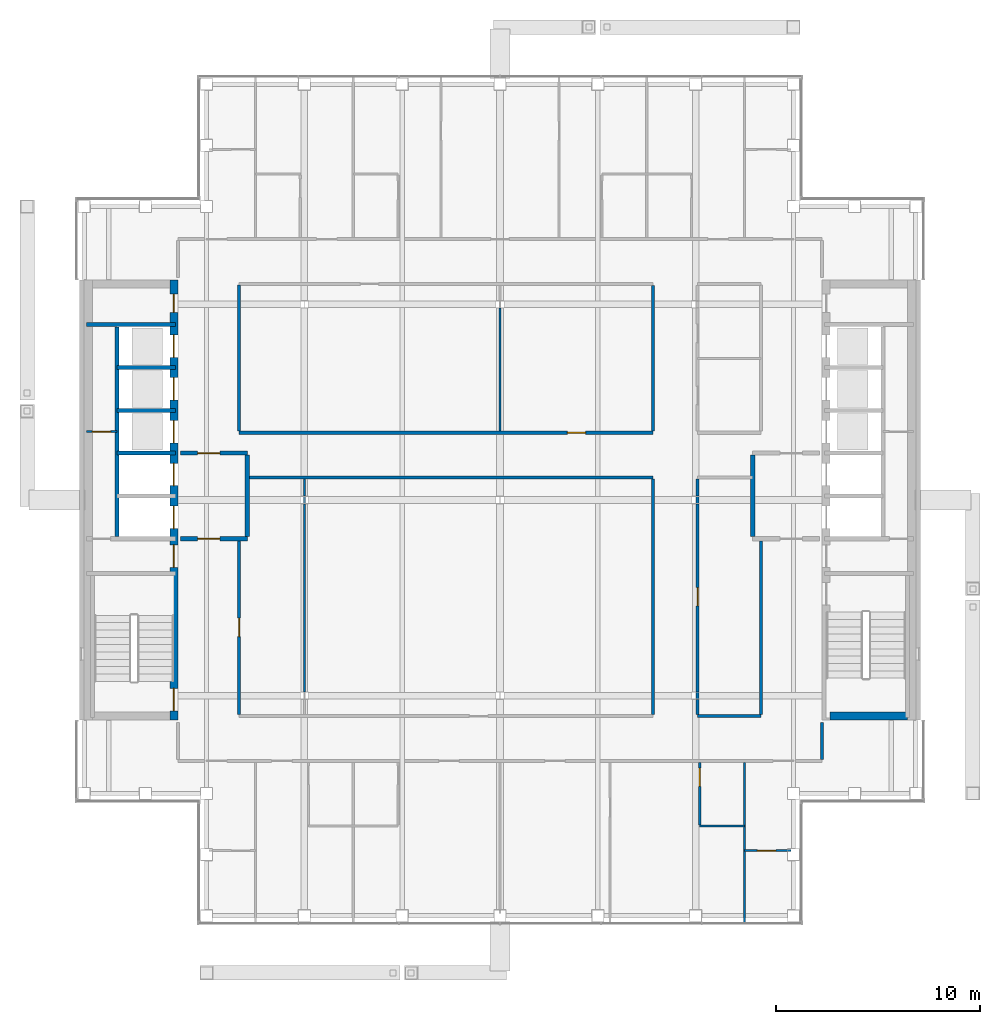
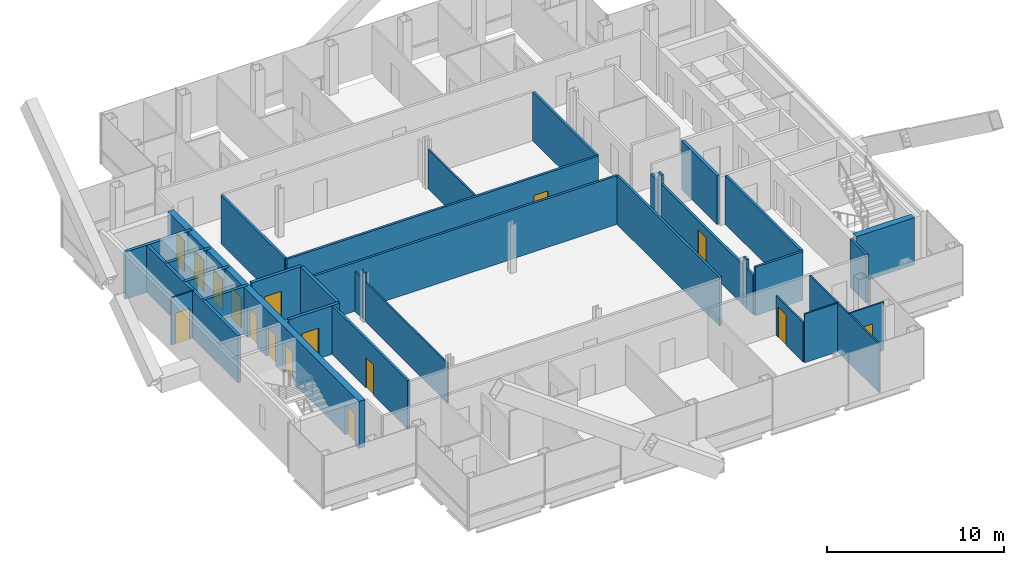
# One storey, part 11 of 15: 34 walls, 16 doors, 16 openings.
"""IFC4 building model written with IfcOpenShell, lengths in metres."""

import ifcopenshell
import ifcopenshell.guid

model = None  # the IFC model being written
_history = None  # IfcOwnerHistory: only IFC2X3 demands one
_inside = {}  # id of a spatial element -> (the spatial element, [elements in it])
_under = {}  # id of a project, library or spatial element -> (it, [spatial elements below it])
_declared = {}  # id of a project -> (the project, [libraries it declares])
_typed = {}  # id of a type object -> (the type object, [elements of that type])
_made_of = {}  # id of a material, layer set ... -> (it, [elements and type objects made of it])


def new_model(schema):
    """Start an empty IFC model of exactly this schema.

    Asked for "IFC4X3", IfcOpenShell would pick the latest addendum, in which some entities
    have other attributes; the version numbers below select the first issue.
    IFC2X3 requires an IfcOwnerHistory on every rooted entity: one is made here for all.
    """
    global model, _history
    if schema == "IFC4X3":
        model = ifcopenshell.file(schema_version=(4, 3, 0, 0))
    else:
        model = ifcopenshell.file(schema=schema)
    _inside.clear()
    _under.clear()
    _declared.clear()
    _typed.clear()
    _made_of.clear()
    _history = None
    if model.schema == "IFC2X3":
        org = make("IfcOrganization", Name="unknown")
        user = make(
            "IfcPersonAndOrganization",
            ThePerson=make("IfcPerson", FamilyName="unknown"),
            TheOrganization=org,
        )
        app = make(
            "IfcApplication",
            ApplicationDeveloper=org,
            Version="unknown",
            ApplicationFullName="unknown",
            ApplicationIdentifier="unknown",
        )
        _history = make(
            "IfcOwnerHistory",
            OwningUser=user,
            OwningApplication=app,
            ChangeAction="ADDED",
            CreationDate=0,
        )
    return model


def make(cls, **values):
    """One entity of the class cls with the attributes given. An attribute that is None is left unset."""
    return model.create_entity(
        cls, **{name: value for name, value in values.items() if value is not None}
    )


def rooted(cls, **values):
    """An entity with a GlobalId (a new one), such as an element, a storey or a relation."""
    return make(cls, GlobalId=ifcopenshell.guid.new(), OwnerHistory=_history, **values)


def si_unit(unit_type, name, prefix=None):
    """IfcSIUnit, for example si_unit("LENGTHUNIT", "METRE", prefix="MILLI")."""
    return make("IfcSIUnit", UnitType=unit_type, Prefix=prefix, Name=name)


def assignment(units):
    """IfcUnitAssignment: the units of a project."""
    return None if units is None else make("IfcUnitAssignment", Units=units)


def point(xyz):
    """IfcCartesianPoint."""
    return None if xyz is None else make("IfcCartesianPoint", Coordinates=xyz)


def direction(xyz):
    """IfcDirection."""
    return None if xyz is None else make("IfcDirection", DirectionRatios=xyz)


def frame(location, z_axis=None, x_axis=None):
    """IfcAxis2Placement3D, a coordinate frame: its origin and axes. An axis left out is left unset."""
    return make(
        "IfcAxis2Placement3D",
        Location=point(location),
        Axis=direction(z_axis),
        RefDirection=direction(x_axis),
    )


def frame_2d(location, x_axis=None):
    """IfcAxis2Placement2D, a coordinate frame in the plane: its origin and x axis."""
    return make(
        "IfcAxis2Placement2D", Location=point(location), RefDirection=direction(x_axis)
    )


def origin():
    """The frame at (0, 0, 0) with its axes left unset."""
    return frame((0.0, 0.0, 0.0))


def place(relative_to, where):
    """IfcLocalPlacement: puts the frame where relative to a parent placement (None: the world)."""
    return make(
        "IfcLocalPlacement", PlacementRelTo=relative_to, RelativePlacement=where
    )


def context(
    kind, dimensions, precision=None, world=None, true_north=None, identifier=None
):
    """IfcGeometricRepresentationContext, for example the 3D "Model" context."""
    return make(
        "IfcGeometricRepresentationContext",
        ContextIdentifier=identifier,
        ContextType=kind,
        CoordinateSpaceDimension=dimensions,
        Precision=precision,
        WorldCoordinateSystem=world,
        TrueNorth=true_north,
    )


def subcontext(parent, identifier, kind, view, scale=None):
    """IfcGeometricRepresentationSubContext, for example "Body" below "Model"."""
    return make(
        "IfcGeometricRepresentationSubContext",
        ContextIdentifier=identifier,
        ContextType=kind,
        ParentContext=parent,
        TargetScale=scale,
        TargetView=view,
    )


def project(units=None, contexts=None):
    """IfcProject with its units and contexts."""
    return rooted(
        "IfcProject",
        Name="project",
        RepresentationContexts=contexts,
        UnitsInContext=assignment(units),
    )


def spatial(cls, under=None, at=None, **own):
    """A site, building, storey or space (cls), placed at a placement, below another one or the project."""
    s = rooted(cls, ObjectPlacement=at, **own)
    if under is not None:
        _under.setdefault(under.id(), (under, []))[1].append(s)
    return s


def profile(cls, at=None, kind="AREA", **sizes):
    """A parametric profile (cls). Its sizes go by their IFC names, for example OverallWidth=200.0."""
    return make(cls, ProfileType=kind, Position=at, **sizes)


def rectangle(**sizes):
    """IfcRectangleProfileDef."""
    return profile("IfcRectangleProfileDef", **sizes)


def extrude(swept, where, along, depth):
    """IfcExtrudedAreaSolid: the profile swept, set in the frame where, extruded along a direction by depth."""
    return make(
        "IfcExtrudedAreaSolid",
        SweptArea=swept,
        Position=where,
        ExtrudedDirection=direction(along),
        Depth=depth,
    )


def shape(context_of_items, identifier, shape_type, items):
    """IfcShapeRepresentation: the items that make up one representation, for example the "Body"."""
    return make(
        "IfcShapeRepresentation",
        ContextOfItems=context_of_items,
        RepresentationIdentifier=identifier,
        RepresentationType=shape_type,
        Items=items,
    )


def material(Name=None, Category=None):
    """IfcMaterial."""
    return make("IfcMaterial", Name=Name, Category=Category)


def layer(
    of_material, thickness, ventilated=None, Name=None, Category=None, Priority=None
):
    """IfcMaterialLayer: one layer of a wall or slab, of a material (None: an air gap)."""
    return make(
        "IfcMaterialLayer",
        Material=of_material,
        LayerThickness=thickness,
        IsVentilated=ventilated,
        Name=Name,
        Category=Category,
        Priority=Priority,
    )


def layer_set(layers, Name=None):
    """IfcMaterialLayerSet."""
    return make("IfcMaterialLayerSet", MaterialLayers=layers, LayerSetName=Name)


def made_of(thing, what):
    """Note that an element or type object is made of a material, layer set ...; save() writes the relation."""
    if what is not None:
        _made_of.setdefault(what.id(), (what, []))[1].append(thing)
    return thing


def type_object(cls, material=None, **own):
    """A type object (cls), such as IfcWallType, which elements share."""
    return made_of(rooted(cls, **own), material)


def element(
    cls,
    number,
    at=None,
    inside=None,
    cuts=None,
    type_object=None,
    material=None,
    context=None,
    identifier="Body",
    shape_type=None,
    held_by="IfcProductDefinitionShape",
    body=None,
    shapes=None,
    **own,
):
    """One element of the class cls, such as IfcWall. Its Tag is "e" and its number.

    at: its placement. inside: the storey or other place that contains it. cuts: it is an
    opening in that element (IfcRelVoidsElement). A single representation is given by context,
    identifier, shape_type and body (its items); several are given by shapes. held_by: the class
    of the entity that holds the representations. save() writes the other relations.
    """
    e = rooted(cls, Tag="e%d" % number, ObjectPlacement=at, **own)
    if body is not None:
        shapes = [shape(context, identifier, shape_type, body)]
    if shapes is not None:
        e.Representation = make(held_by, Representations=shapes)
    if inside is not None:
        _inside.setdefault(inside.id(), (inside, []))[1].append(e)
    if cuts is not None:
        rooted(
            "IfcRelVoidsElement", RelatingBuildingElement=cuts, RelatedOpeningElement=e
        )
    if type_object is not None:
        _typed.setdefault(type_object.id(), (type_object, []))[1].append(e)
    return made_of(e, material)


def fill(opening, filler):
    """IfcRelFillsElement: the door or window that sits in an opening."""
    return rooted(
        "IfcRelFillsElement",
        RelatingOpeningElement=opening,
        RelatedBuildingElement=filler,
    )


def aggregate(whole, parts):
    """IfcRelAggregates: a whole, such as a stair, and the parts it consists of."""
    return rooted("IfcRelAggregates", RelatingObject=whole, RelatedObjects=parts)


def save(model, path):
    """Write the relations noted so far, then the file.

    IfcRelAggregates (storeys below a building ...), IfcRelContainedInSpatialStructure (elements
    in a storey), IfcRelDefinesByType, IfcRelAssociatesMaterial and IfcRelDeclares: one each for
    every whole, place, type object, material and project.
    """
    for whole, parts in _under.values():
        aggregate(whole, parts)
    for where, things in _inside.values():
        rooted(
            "IfcRelContainedInSpatialStructure",
            RelatedElements=things,
            RelatingStructure=where,
        )
    for kind, things in _typed.values():
        rooted("IfcRelDefinesByType", RelatedObjects=things, RelatingType=kind)
    for what, things in _made_of.values():
        rooted("IfcRelAssociatesMaterial", RelatedObjects=things, RelatingMaterial=what)
    for by, libraries in _declared.values():
        rooted("IfcRelDeclares", RelatingContext=by, RelatedDefinitions=libraries)
    model.write(path)


model = new_model("IFC4")

# Units and contexts
model_context = context("Model", 3, precision=1e-05, world=origin(), true_north=direction((0.0, 1.0)))
body_context = subcontext(model_context, "Body", "Model", "MODEL_VIEW")
ifc_project = project(units=[si_unit("LENGTHUNIT", "METRE"), si_unit("AREAUNIT", "SQUARE_METRE"), si_unit("VOLUMEUNIT", "CUBIC_METRE"), si_unit("PLANEANGLEUNIT", "RADIAN"), si_unit("MASSUNIT", "GRAM", prefix="KILO")], contexts=[model_context])

# Site, building, storey
site_placement = place(None, origin())
site = spatial("IfcSite", under=ifc_project, at=site_placement, CompositionType="ELEMENT")
building_placement = place(site_placement, origin())
building = spatial("IfcBuilding", under=site, at=building_placement, Name="Cobrizo Arcos Hotel Tower", CompositionType="ELEMENT")
storey_placement = place(building_placement, frame((0.0, 0.0, 244.5)))
storey = spatial("IfcBuildingStorey", under=building, at=storey_placement, Name="L64", CompositionType="ELEMENT", Elevation=244.5)

# Walls
ifc_material_1 = material(Name="Gypsum board partition")
ifc_layer_1 = layer(ifc_material_1, 0.14990234375)
ifc_layer_set_1 = layer_set([ifc_layer_1], Name="Corridor wall EI 60 150")
wall_type_1 = type_object("IfcWallType", Name="Corridor wall EI 60 150", PredefinedType="PARTITIONING", material=ifc_layer_set_1)
wall_1_placement = place(storey_placement, frame((9.699951171875, -10.60009765625, 0.0), z_axis=(0.0, 0.0, 1.0), x_axis=(1.0, 0.0, 0.0)))
element("IfcWall", 1, at=wall_1_placement, inside=storey, type_object=wall_type_1, Name="Partition 007", PredefinedType="PARTITIONING", context=body_context, shape_type="SweptSolid", body=[
    extrude(rectangle(XDim=3.10009765625, YDim=0.14990234375, at=frame_2d((1.550048828125, 0.0))), origin(), (0.0, 0.0, 1.0), 3.35009765625),
])
wall_2_placement = place(storey_placement, frame((-12.39990234375, 1.10009765625, 0.0), z_axis=(0.0, 0.0, 1.0), x_axis=(1.0, 0.0, 0.0)))
element("IfcWall", 2, at=wall_2_placement, inside=storey, type_object=wall_type_1, Name="Partition 016", PredefinedType="PARTITIONING", context=body_context, shape_type="SweptSolid", body=[
    extrude(rectangle(XDim=19.89990234375, YDim=0.14990234375, at=frame_2d((9.949951171875, 0.0))), origin(), (0.0, 0.0, 1.0), 3.35009765625),
])

# Wall, opening, door
wall_3_placement = place(storey_placement, frame((-12.800048828125, 3.300048828125, 0.0), z_axis=(0.0, 0.0, 1.0), x_axis=(1.0, 0.0, 0.0)))
wall_3 = element("IfcWall", 3, at=wall_3_placement, inside=storey, type_object=wall_type_1, Name="Partition 022", PredefinedType="PARTITIONING", context=body_context, shape_type="SweptSolid", body=[
    extrude(rectangle(XDim=20.300048828125, YDim=0.14990234375, at=frame_2d((10.14990234375, 0.0))), origin(), (0.0, 0.0, 1.0), 3.35009765625),
])
opening_1_placement = place(wall_3_placement, frame((16.10009765625, 0.0, 0.0)))
opening_1 = element("IfcOpeningElement", 4, at=opening_1_placement, cuts=wall_3, Name="Opening RD-13", PredefinedType="OPENING", context=body_context, shape_type="SweptSolid", body=[
    extrude(rectangle(XDim=0.89990234375, YDim=2.10009765625, at=frame_2d((0.449951171875, 1.050048828125))), frame((0.0, 0.0869140625, 0.0), z_axis=(0.0, -1.0, 0.0), x_axis=(1.0, 0.0, 0.0)), (0.0, 0.0, 1.0), 0.173828125),
])
ifc_material_2 = material(Name="Timber door leaf", Category="wood")
door_type_1 = type_object("IfcDoorType", Name="Room door FD30 900x2100", OperationType="SINGLE_SWING_LEFT", PredefinedType="DOOR", material=ifc_material_2)
door_1_placement = place(opening_1_placement, origin())
door_1 = element("IfcDoor", 5, at=door_1_placement, inside=storey, type_object=door_type_1, Name="Door RD-13", OperationType="SINGLE_SWING_RIGHT", OverallHeight=2.10009765625, OverallWidth=0.89990234375, PredefinedType="DOOR", context=body_context, shape_type="SweptSolid", body=[
    extrude(rectangle(XDim=0.89990234375, YDim=2.10009765625, at=frame_2d((0.449951171875, 1.050048828125))), frame((0.0, 0.02490234375, 0.0), z_axis=(0.0, -1.0, 0.0), x_axis=(1.0, 0.0, 0.0)), (0.0, 0.0, 1.0), 0.050048828125),
])
fill(opening_1, door_1)

wall_4_placement = place(storey_placement, frame((-12.800048828125, -10.52490234375, 0.0), z_axis=(0.0, 0.0, 1.0), x_axis=(0.0, 1.0, 0.0)))
wall_4 = element("IfcWall", 6, at=wall_4_placement, inside=storey, type_object=wall_type_1, Name="Partition 045", PredefinedType="PARTITIONING", context=body_context, shape_type="SweptSolid", body=[
    extrude(rectangle(XDim=8.52490234375, YDim=0.14990234375, at=frame_2d((4.262451171875, 0.0))), origin(), (0.0, 0.0, 1.0), 3.35009765625),
])
opening_2_placement = place(wall_4_placement, frame((3.824951171875, 0.0, 0.0)))
opening_2 = element("IfcOpeningElement", 7, at=opening_2_placement, cuts=wall_4, Name="Opening RD-12", PredefinedType="OPENING", context=body_context, shape_type="SweptSolid", body=[
    extrude(rectangle(XDim=0.89990234375, YDim=2.10009765625, at=frame_2d((0.449951171875, 1.050048828125))), frame((0.0, 0.0869140625, 0.0), z_axis=(0.0, -1.0, 0.0), x_axis=(1.0, 0.0, 0.0)), (0.0, 0.0, 1.0), 0.173828125),
])
door_2_placement = place(opening_2_placement, origin())
door_2 = element("IfcDoor", 8, at=door_2_placement, inside=storey, type_object=door_type_1, Name="Door RD-12", OperationType="SINGLE_SWING_RIGHT", OverallHeight=2.10009765625, OverallWidth=0.89990234375, PredefinedType="DOOR", context=body_context, shape_type="SweptSolid", body=[
    extrude(rectangle(XDim=0.89990234375, YDim=2.10009765625, at=frame_2d((0.449951171875, 1.050048828125))), frame((0.0, 0.02490234375, 0.0), z_axis=(0.0, -1.0, 0.0), x_axis=(1.0, 0.0, 0.0)), (0.0, 0.0, 1.0), 0.050048828125),
])
fill(opening_2, door_2)

# Walls
wall_5_placement = place(storey_placement, frame((-12.800048828125, 3.375, 0.0), z_axis=(0.0, 0.0, 1.0), x_axis=(0.0, 1.0, 0.0)))
element("IfcWall", 9, at=wall_5_placement, inside=storey, type_object=wall_type_1, Name="Partition 046", PredefinedType="PARTITIONING", context=body_context, shape_type="SweptSolid", body=[
    extrude(rectangle(XDim=7.175048828125, YDim=0.14990234375, at=frame_2d((3.58740234375, 0.0))), origin(), (0.0, 0.0, 1.0), 3.35009765625),
])
wall_6_placement = place(storey_placement, frame((7.5, -10.52490234375, 0.0), z_axis=(0.0, 0.0, 1.0), x_axis=(0.0, 1.0, 0.0)))
element("IfcWall", 10, at=wall_6_placement, inside=storey, type_object=wall_type_1, Name="Partition 072", PredefinedType="PARTITIONING", context=body_context, shape_type="SweptSolid", body=[
    extrude(rectangle(XDim=11.5498046875, YDim=0.14990234375, at=frame_2d((5.77490234375, 0.0))), origin(), (0.0, 0.0, 1.0), 3.35009765625),
])
wall_7_placement = place(storey_placement, frame((7.5, 3.375, 0.0), z_axis=(0.0, 0.0, 1.0), x_axis=(0.0, 1.0, 0.0)))
element("IfcWall", 11, at=wall_7_placement, inside=storey, type_object=wall_type_1, Name="Partition 073", PredefinedType="PARTITIONING", context=body_context, shape_type="SweptSolid", body=[
    extrude(rectangle(XDim=7.14990234375, YDim=0.14990234375, at=frame_2d((3.574951171875, 0.0))), origin(), (0.0, 0.0, 1.0), 3.35009765625),
])
wall_8_placement = place(storey_placement, frame((9.699951171875, -10.52490234375, 0.0), z_axis=(0.0, 0.0, 1.0), x_axis=(0.0, 1.0, 0.0)))
element("IfcWall", 12, at=wall_8_placement, inside=storey, type_object=wall_type_1, Name="Partition 075", PredefinedType="PARTITIONING", context=body_context, shape_type="SweptSolid", body=[
    extrude(rectangle(XDim=0.740966796875, YDim=0.14990234375, at=frame_2d((0.37060546875, 0.0))), origin(), (0.0, 0.0, 1.0), 2.72802734375),
])
wall_9_placement = place(storey_placement, frame((9.699951171875, -9.783935546875, 0.0), z_axis=(0.0, 0.0, 1.0), x_axis=(0.0, 1.0, 0.0)))
element("IfcWall", 13, at=wall_9_placement, inside=storey, type_object=wall_type_1, Name="Partition 076", PredefinedType="PARTITIONING", context=body_context, shape_type="SweptSolid", body=[
    extrude(rectangle(XDim=0.367919921875, YDim=0.14990234375, at=frame_2d((0.18408203125, 0.0))), origin(), (0.0, 0.0, 1.0), 3.35009765625),
])

# Wall, opening, door
wall_10_placement = place(storey_placement, frame((9.699951171875, -9.416015625, 0.0), z_axis=(0.0, 0.0, 1.0), x_axis=(0.0, 1.0, 0.0)))
wall_10 = element("IfcWall", 14, at=wall_10_placement, inside=storey, type_object=wall_type_1, Name="Partition 077", PredefinedType="PARTITIONING", context=body_context, shape_type="SweptSolid", body=[
    extrude(rectangle(XDim=9.23193359375, YDim=0.14990234375, at=frame_2d((4.615966796875, 0.0))), origin(), (0.0, 0.0, 1.0), 2.72802734375),
])
opening_3_placement = place(wall_10_placement, frame((4.216064453125, 0.0, 0.0)))
opening_3 = element("IfcOpeningElement", 15, at=opening_3_placement, cuts=wall_10, Name="Opening RD-11", PredefinedType="OPENING", context=body_context, shape_type="SweptSolid", body=[
    extrude(rectangle(XDim=0.89990234375, YDim=2.10009765625, at=frame_2d((0.449951171875, 1.050048828125))), frame((0.0, 0.0869140625, 0.0), z_axis=(0.0, -1.0, 0.0), x_axis=(1.0, 0.0, 0.0)), (0.0, 0.0, 1.0), 0.173828125),
])
door_3_placement = place(opening_3_placement, origin())
door_3 = element("IfcDoor", 16, at=door_3_placement, inside=storey, type_object=door_type_1, Name="Door RD-11", OperationType="SINGLE_SWING_RIGHT", OverallHeight=2.10009765625, OverallWidth=0.89990234375, PredefinedType="DOOR", context=body_context, shape_type="SweptSolid", body=[
    extrude(rectangle(XDim=0.89990234375, YDim=2.10009765625, at=frame_2d((0.449951171875, 1.050048828125))), frame((0.0, 0.02490234375, 0.0), z_axis=(0.0, -1.0, 0.0), x_axis=(1.0, 0.0, 0.0)), (0.0, 0.0, 1.0), 0.050048828125),
])
fill(opening_3, door_3)

# Walls
wall_11_placement = place(storey_placement, frame((9.699951171875, -0.18408203125, 0.0), z_axis=(0.0, 0.0, 1.0), x_axis=(0.0, 1.0, 0.0)))
element("IfcWall", 17, at=wall_11_placement, inside=storey, type_object=wall_type_1, Name="Partition 078", PredefinedType="PARTITIONING", context=body_context, shape_type="SweptSolid", body=[
    extrude(rectangle(XDim=0.3681640625, YDim=0.14990234375, at=frame_2d((0.18408203125, 0.0))), origin(), (0.0, 0.0, 1.0), 3.35009765625),
])
wall_12_placement = place(storey_placement, frame((9.699951171875, 0.18408203125, 0.0), z_axis=(0.0, 0.0, 1.0), x_axis=(0.0, 1.0, 0.0)))
element("IfcWall", 18, at=wall_12_placement, inside=storey, type_object=wall_type_1, Name="Partition 079", PredefinedType="PARTITIONING", context=body_context, shape_type="SweptSolid", body=[
    extrude(rectangle(XDim=0.8408203125, YDim=0.14990234375, at=frame_2d((0.42041015625, 0.0))), origin(), (0.0, 0.0, 1.0), 2.72802734375),
])
wall_13_placement = place(storey_placement, frame((12.800048828125, -10.52490234375, 0.0), z_axis=(0.0, 0.0, 1.0), x_axis=(0.0, 1.0, 0.0)))
element("IfcWall", 19, at=wall_13_placement, inside=storey, type_object=wall_type_1, Name="Partition 087", PredefinedType="PARTITIONING", context=body_context, shape_type="SweptSolid", body=[
    extrude(rectangle(XDim=8.52490234375, YDim=0.14990234375, at=frame_2d((4.262451171875, 0.0))), origin(), (0.0, 0.0, 1.0), 3.35009765625),
])
wall_14_placement = place(storey_placement, frame((15.800048828125, -12.72509765625, 0.0), z_axis=(0.0, 0.0, 1.0), x_axis=(0.0, 1.0, 0.0)))
element("IfcWall", 20, at=wall_14_placement, inside=storey, type_object=wall_type_1, Name="Partition 089", PredefinedType="PARTITIONING", context=body_context, shape_type="SweptSolid", body=[
    extrude(rectangle(XDim=1.80517578125, YDim=0.14990234375, at=frame_2d((0.902587890625, 0.0))), origin(), (0.0, 0.0, 1.0), 3.35009765625),
])

# Wall, opening, door
ifc_layer_2 = layer(ifc_material_1, 0.10009765625)
ifc_layer_set_2 = layer_set([ifc_layer_2], Name="Partition EI 30 100")
wall_type_2 = type_object("IfcWallType", Name="Partition EI 30 100", PredefinedType="PARTITIONING", material=ifc_layer_set_2)
wall_15_placement = place(storey_placement, frame((12.0, -17.199951171875, 0.0), z_axis=(0.0, 0.0, 1.0), x_axis=(1.0, 0.0, 0.0)))
wall_15 = element("IfcWall", 21, at=wall_15_placement, inside=storey, type_object=wall_type_2, Name="Partition 002", PredefinedType="PARTITIONING", context=body_context, shape_type="SweptSolid", body=[
    extrude(rectangle(XDim=2.280029296875, YDim=0.10009765625, at=frame_2d((1.14013671875, 0.0))), origin(), (0.0, 0.0, 1.0), 3.35009765625),
])
opening_4_placement = place(wall_15_placement, frame((0.6298828125, 0.0, 0.0)))
opening_4 = element("IfcOpeningElement", 22, at=opening_4_placement, cuts=wall_15, Name="Opening ED-10", PredefinedType="OPENING", context=body_context, shape_type="SweptSolid", body=[
    extrude(rectangle(XDim=0.89990234375, YDim=2.10009765625, at=frame_2d((0.449951171875, 1.050048828125))), frame((0.0, 0.06201171875, 0.0), z_axis=(0.0, -1.0, 0.0), x_axis=(1.0, 0.0, 0.0)), (0.0, 0.0, 1.0), 0.1240234375),
])
door_type_2 = type_object("IfcDoorType", Name="En-suite door 900x2100", OperationType="SINGLE_SWING_LEFT", PredefinedType="DOOR", material=ifc_material_2)
door_4_placement = place(opening_4_placement, origin())
door_4 = element("IfcDoor", 23, at=door_4_placement, inside=storey, type_object=door_type_2, Name="Door ED-10", OperationType="SINGLE_SWING_RIGHT", OverallHeight=2.10009765625, OverallWidth=0.89990234375, PredefinedType="DOOR", context=body_context, shape_type="SweptSolid", body=[
    extrude(rectangle(XDim=0.89990234375, YDim=2.10009765625, at=frame_2d((0.449951171875, 1.050048828125))), frame((0.0, 0.02490234375, 0.0), z_axis=(0.0, -1.0, 0.0), x_axis=(1.0, 0.0, 0.0)), (0.0, 0.0, 1.0), 0.050048828125),
])
fill(opening_4, door_4)

# Wall
wall_16_placement = place(storey_placement, frame((9.800048828125, -16.0, 0.0), z_axis=(0.0, 0.0, 1.0), x_axis=(1.0, 0.0, 0.0)))
element("IfcWall", 24, at=wall_16_placement, inside=storey, type_object=wall_type_2, Name="Partition 004", PredefinedType="PARTITIONING", context=body_context, shape_type="SweptSolid", body=[
    extrude(rectangle(XDim=2.199951171875, YDim=0.10009765625, at=frame_2d((1.10009765625, 0.0))), origin(), (0.0, 0.0, 1.0), 3.35009765625),
])

# Wall, opening, door
wall_17_placement = place(storey_placement, frame((-20.280029296875, 3.35009765625, 0.0), z_axis=(0.0, 0.0, 1.0), x_axis=(1.0, 0.0, 0.0)))
wall_17 = element("IfcWall", 25, at=wall_17_placement, inside=storey, type_object=wall_type_2, Name="Partition 024", PredefinedType="PARTITIONING", context=body_context, shape_type="SweptSolid", body=[
    extrude(rectangle(XDim=1.47998046875, YDim=0.10009765625, at=frame_2d((0.739990234375, 0.0))), origin(), (0.0, 0.0, 1.0), 3.25),
])
opening_5_placement = place(wall_17_placement, frame((0.280029296875, 0.0, 0.0)))
opening_5 = element("IfcOpeningElement", 26, at=opening_5_placement, cuts=wall_17, Name="Opening RD-03", PredefinedType="OPENING", context=body_context, shape_type="SweptSolid", body=[
    extrude(rectangle(XDim=0.89990234375, YDim=2.10009765625, at=frame_2d((0.449951171875, 1.050048828125))), frame((0.0, 0.06201171875, 0.0), z_axis=(0.0, -1.0, 0.0), x_axis=(1.0, 0.0, 0.0)), (0.0, 0.0, 1.0), 0.1240234375),
])
door_5_placement = place(opening_5_placement, origin())
door_5 = element("IfcDoor", 27, at=door_5_placement, inside=storey, type_object=door_type_1, Name="Door RD-03", OperationType="SINGLE_SWING_RIGHT", OverallHeight=2.10009765625, OverallWidth=0.89990234375, PredefinedType="DOOR", context=body_context, shape_type="SweptSolid", body=[
    extrude(rectangle(XDim=0.89990234375, YDim=2.10009765625, at=frame_2d((0.449951171875, 1.050048828125))), frame((0.0, 0.02490234375, 0.0), z_axis=(0.0, -1.0, 0.0), x_axis=(1.0, 0.0, 0.0)), (0.0, 0.0, 1.0), 0.050048828125),
])
fill(opening_5, door_5)

# Walls
wall_18_placement = place(storey_placement, frame((-9.60009765625, -9.416015625, 0.0), z_axis=(0.0, 0.0, 1.0), x_axis=(0.0, 1.0, 0.0)))
element("IfcWall", 28, at=wall_18_placement, inside=storey, type_object=wall_type_2, Name="Partition 053", PredefinedType="PARTITIONING", context=body_context, shape_type="SweptSolid", body=[
    extrude(rectangle(XDim=9.23193359375, YDim=0.10009765625, at=frame_2d((4.615966796875, 0.0))), origin(), (0.0, 0.0, 1.0), 2.72802734375),
])
wall_19_placement = place(storey_placement, frame((-9.60009765625, -0.18408203125, 0.0), z_axis=(0.0, 0.0, 1.0), x_axis=(0.0, 1.0, 0.0)))
element("IfcWall", 29, at=wall_19_placement, inside=storey, type_object=wall_type_2, Name="Partition 054", PredefinedType="PARTITIONING", context=body_context, shape_type="SweptSolid", body=[
    extrude(rectangle(XDim=0.3681640625, YDim=0.10009765625, at=frame_2d((0.18408203125, 0.0))), origin(), (0.0, 0.0, 1.0), 3.35009765625),
])
wall_20_placement = place(storey_placement, frame((-9.60009765625, 0.18408203125, 0.0), z_axis=(0.0, 0.0, 1.0), x_axis=(0.0, 1.0, 0.0)))
element("IfcWall", 30, at=wall_20_placement, inside=storey, type_object=wall_type_2, Name="Partition 055", PredefinedType="PARTITIONING", context=body_context, shape_type="SweptSolid", body=[
    extrude(rectangle(XDim=0.8408203125, YDim=0.10009765625, at=frame_2d((0.42041015625, 0.0))), origin(), (0.0, 0.0, 1.0), 2.72802734375),
])
wall_21_placement = place(storey_placement, frame((0.0, 3.375, 0.0), z_axis=(0.0, 0.0, 1.0), x_axis=(0.0, 1.0, 0.0)))
element("IfcWall", 31, at=wall_21_placement, inside=storey, type_object=wall_type_2, Name="Partition 064", PredefinedType="PARTITIONING", context=body_context, shape_type="SweptSolid", body=[
    extrude(rectangle(XDim=6.041015625, YDim=0.10009765625, at=frame_2d((3.0205078125, 0.0))), origin(), (0.0, 0.0, 1.0), 2.72802734375),
])

# Wall, opening, door
wall_22_placement = place(storey_placement, frame((9.800048828125, -15.949951171875, 0.0), z_axis=(0.0, 0.0, 1.0), x_axis=(0.0, 1.0, 0.0)))
wall_22 = element("IfcWall", 32, at=wall_22_placement, inside=storey, type_object=wall_type_2, Name="Partition 083", PredefinedType="PARTITIONING", context=body_context, shape_type="SweptSolid", body=[
    extrude(rectangle(XDim=3.074951171875, YDim=0.10009765625, at=frame_2d((1.53759765625, 0.0))), origin(), (0.0, 0.0, 1.0), 2.72802734375),
])
opening_6_placement = place(wall_22_placement, frame((1.89990234375, 0.0, 0.0)))
opening_6 = element("IfcOpeningElement", 33, at=opening_6_placement, cuts=wall_22, Name="Opening ED-07", PredefinedType="OPENING", context=body_context, shape_type="SweptSolid", body=[
    extrude(rectangle(XDim=0.89990234375, YDim=2.10009765625, at=frame_2d((0.449951171875, 1.050048828125))), frame((0.0, 0.06201171875, 0.0), z_axis=(0.0, -1.0, 0.0), x_axis=(1.0, 0.0, 0.0)), (0.0, 0.0, 1.0), 0.1240234375),
])
door_6_placement = place(opening_6_placement, origin())
door_6 = element("IfcDoor", 34, at=door_6_placement, inside=storey, type_object=door_type_2, Name="Door ED-07", OperationType="SINGLE_SWING_LEFT", OverallHeight=2.10009765625, OverallWidth=0.89990234375, PredefinedType="DOOR", context=body_context, shape_type="SweptSolid", body=[
    extrude(rectangle(XDim=0.89990234375, YDim=2.10009765625, at=frame_2d((0.449951171875, 1.050048828125))), frame((0.0, 0.02490234375, 0.0), z_axis=(0.0, -1.0, 0.0), x_axis=(1.0, 0.0, 0.0)), (0.0, 0.0, 1.0), 0.050048828125),
])
fill(opening_6, door_6)

# Walls
wall_23_placement = place(storey_placement, frame((12.0, -20.72998046875, 0.0), z_axis=(0.0, 0.0, 1.0), x_axis=(0.0, 1.0, 0.0)))
element("IfcWall", 35, at=wall_23_placement, inside=storey, type_object=wall_type_2, Name="Partition 084", PredefinedType="PARTITIONING", context=body_context, shape_type="SweptSolid", body=[
    extrude(rectangle(XDim=7.85498046875, YDim=0.10009765625, at=frame_2d((3.927490234375, 0.0))), origin(), (0.0, 0.0, 1.0), 3.35009765625),
])
ifc_material_3 = material(Name="Concrete f'c 40 MPa", Category="concrete")
ifc_layer_3 = layer(ifc_material_3, 0.39990234375)
ifc_layer_set_3 = layer_set([ifc_layer_3], Name="RC core wall 400 f'c 40")
wall_type_3 = type_object("IfcWallType", Name="RC core wall 400 f'c 40", PredefinedType="SHEAR", material=ifc_layer_set_3)
wall_24_placement = place(storey_placement, frame((16.199951171875, -10.60009765625, 0.0), z_axis=(0.0, 0.0, 1.0), x_axis=(1.0, 0.0, 0.0)))
element("IfcWall", 36, at=wall_24_placement, inside=storey, type_object=wall_type_3, Name="Core wall CW4, east core, south end, L64", PredefinedType="SHEAR", context=body_context, shape_type="SweptSolid", body=[
    extrude(rectangle(XDim=3.800048828125, YDim=0.39990234375, at=frame_2d((1.89990234375, 0.0))), origin(), (0.0, 0.0, 1.0), 3.25),
])

# Wall, openings, doors
wall_25_placement = place(storey_placement, frame((-16.0, -10.800048828125, 0.0), z_axis=(0.0, 0.0, 1.0), x_axis=(0.0, 1.0, 0.0)))
wall_25 = element("IfcWall", 37, at=wall_25_placement, inside=storey, type_object=wall_type_3, Name="Core wall CW4, west core, inner face, L64", PredefinedType="SHEAR", context=body_context, shape_type="SweptSolid", body=[
    extrude(rectangle(XDim=21.60009765625, YDim=0.39990234375, at=frame_2d((10.800048828125, 0.0))), origin(), (0.0, 0.0, 1.0), 3.25),
])
opening_7_placement = place(wall_25_placement, frame((9.39990234375, 0.0, 0.0)))
opening_7 = element("IfcOpeningElement", 38, at=opening_7_placement, cuts=wall_25, Name="Opening LD-01", PredefinedType="OPENING", context=body_context, shape_type="SweptSolid", body=[
    extrude(rectangle(XDim=1.10009765625, YDim=2.10009765625, at=frame_2d((0.550048828125, 1.050048828125))), frame((0.0, 0.2119140625, 0.0), z_axis=(0.0, -1.0, 0.0), x_axis=(1.0, 0.0, 0.0)), (0.0, 0.0, 1.0), 0.423828125),
])
opening_8_placement = place(wall_25_placement, frame((11.5, 0.0, 0.0)))
opening_8 = element("IfcOpeningElement", 39, at=opening_8_placement, cuts=wall_25, Name="Opening LD-02", PredefinedType="OPENING", context=body_context, shape_type="SweptSolid", body=[
    extrude(rectangle(XDim=1.10009765625, YDim=2.10009765625, at=frame_2d((0.550048828125, 1.050048828125))), frame((0.0, 0.2119140625, 0.0), z_axis=(0.0, -1.0, 0.0), x_axis=(1.0, 0.0, 0.0)), (0.0, 0.0, 1.0), 0.423828125),
])
opening_9_placement = place(wall_25_placement, frame((13.60009765625, 0.0, 0.0)))
opening_9 = element("IfcOpeningElement", 40, at=opening_9_placement, cuts=wall_25, Name="Opening LD-03", PredefinedType="OPENING", context=body_context, shape_type="SweptSolid", body=[
    extrude(rectangle(XDim=1.10009765625, YDim=2.10009765625, at=frame_2d((0.550048828125, 1.050048828125))), frame((0.0, 0.2119140625, 0.0), z_axis=(0.0, -1.0, 0.0), x_axis=(1.0, 0.0, 0.0)), (0.0, 0.0, 1.0), 0.423828125),
])
opening_10_placement = place(wall_25_placement, frame((15.699951171875, 0.0, 0.0)))
opening_10 = element("IfcOpeningElement", 41, at=opening_10_placement, cuts=wall_25, Name="Opening LD-04", PredefinedType="OPENING", context=body_context, shape_type="SweptSolid", body=[
    extrude(rectangle(XDim=1.10009765625, YDim=2.10009765625, at=frame_2d((0.550048828125, 1.050048828125))), frame((0.0, 0.2119140625, 0.0), z_axis=(0.0, -1.0, 0.0), x_axis=(1.0, 0.0, 0.0)), (0.0, 0.0, 1.0), 0.423828125),
])
opening_11_placement = place(wall_25_placement, frame((17.800048828125, 0.0, 0.0)))
opening_11 = element("IfcOpeningElement", 42, at=opening_11_placement, cuts=wall_25, Name="Opening LD-05", PredefinedType="OPENING", context=body_context, shape_type="SweptSolid", body=[
    extrude(rectangle(XDim=1.10009765625, YDim=2.10009765625, at=frame_2d((0.550048828125, 1.050048828125))), frame((0.0, 0.2119140625, 0.0), z_axis=(0.0, -1.0, 0.0), x_axis=(1.0, 0.0, 0.0)), (0.0, 0.0, 1.0), 0.423828125),
])
opening_12_placement = place(wall_25_placement, frame((0.4580078125, 0.0, 0.0)))
opening_12 = element("IfcOpeningElement", 43, at=opening_12_placement, cuts=wall_25, Name="Opening SD-01", PredefinedType="OPENING", context=body_context, shape_type="SweptSolid", body=[
    extrude(rectangle(XDim=1.10009765625, YDim=2.10009765625, at=frame_2d((0.550048828125, 1.050048828125))), frame((0.0, 0.2119140625, 0.0), z_axis=(0.0, -1.0, 0.0), x_axis=(1.0, 0.0, 0.0)), (0.0, 0.0, 1.0), 0.423828125),
])
opening_13_placement = place(wall_25_placement, frame((7.5, 0.0, 0.0)))
opening_13 = element("IfcOpeningElement", 44, at=opening_13_placement, cuts=wall_25, Name="Opening FD-01", PredefinedType="OPENING", context=body_context, shape_type="SweptSolid", body=[
    extrude(rectangle(XDim=1.10009765625, YDim=2.10009765625, at=frame_2d((0.550048828125, 1.050048828125))), frame((0.0, 0.2119140625, 0.0), z_axis=(0.0, -1.0, 0.0), x_axis=(1.0, 0.0, 0.0)), (0.0, 0.0, 1.0), 0.423828125),
])
opening_14_placement = place(wall_25_placement, frame((20.0, 0.0, 0.0)))
opening_14 = element("IfcOpeningElement", 45, at=opening_14_placement, cuts=wall_25, Name="Opening RD-01", PredefinedType="OPENING", context=body_context, shape_type="SweptSolid", body=[
    extrude(rectangle(XDim=0.89990234375, YDim=2.10009765625, at=frame_2d((0.449951171875, 1.050048828125))), frame((0.0, 0.2119140625, 0.0), z_axis=(0.0, -1.0, 0.0), x_axis=(1.0, 0.0, 0.0)), (0.0, 0.0, 1.0), 0.423828125),
])
ifc_material_4 = material(Name="Steel door leaf", Category="steel")
door_type_3 = type_object("IfcDoorType", Name="Fire door FD60 1100x2100", OperationType="SINGLE_SWING_LEFT", PredefinedType="DOOR", material=ifc_material_4)
door_7_placement = place(opening_13_placement, origin())
door_7 = element("IfcDoor", 46, at=door_7_placement, inside=storey, type_object=door_type_3, Name="Door FD-01", OperationType="SINGLE_SWING_RIGHT", OverallHeight=2.10009765625, OverallWidth=1.10009765625, PredefinedType="DOOR", context=body_context, shape_type="SweptSolid", body=[
    extrude(rectangle(XDim=1.10009765625, YDim=2.10009765625, at=frame_2d((0.550048828125, 1.050048828125))), frame((0.0, 0.02490234375, 0.0), z_axis=(0.0, -1.0, 0.0), x_axis=(1.0, 0.0, 0.0)), (0.0, 0.0, 1.0), 0.050048828125),
])
fill(opening_13, door_7)
door_type_4 = type_object("IfcDoorType", Name="Lift landing door 1100x2100", OperationType="SLIDING_TO_LEFT", PredefinedType="DOOR", material=ifc_material_4)
door_8_placement = place(opening_7_placement, origin())
door_8 = element("IfcDoor", 47, at=door_8_placement, inside=storey, type_object=door_type_4, Name="Lift landing door LD-01", OperationType="SLIDING_TO_LEFT", OverallHeight=2.10009765625, OverallWidth=1.10009765625, PredefinedType="DOOR", context=body_context, shape_type="SweptSolid", body=[
    extrude(rectangle(XDim=1.10009765625, YDim=2.10009765625, at=frame_2d((0.550048828125, 1.050048828125))), frame((0.0, 0.02490234375, 0.0), z_axis=(0.0, -1.0, 0.0), x_axis=(1.0, 0.0, 0.0)), (0.0, 0.0, 1.0), 0.050048828125),
])
fill(opening_7, door_8)
door_9_placement = place(opening_8_placement, origin())
door_9 = element("IfcDoor", 48, at=door_9_placement, inside=storey, type_object=door_type_4, Name="Lift landing door LD-02", OperationType="SLIDING_TO_LEFT", OverallHeight=2.10009765625, OverallWidth=1.10009765625, PredefinedType="DOOR", context=body_context, shape_type="SweptSolid", body=[
    extrude(rectangle(XDim=1.10009765625, YDim=2.10009765625, at=frame_2d((0.550048828125, 1.050048828125))), frame((0.0, 0.02490234375, 0.0), z_axis=(0.0, -1.0, 0.0), x_axis=(1.0, 0.0, 0.0)), (0.0, 0.0, 1.0), 0.050048828125),
])
fill(opening_8, door_9)
door_10_placement = place(opening_9_placement, origin())
door_10 = element("IfcDoor", 49, at=door_10_placement, inside=storey, type_object=door_type_4, Name="Lift landing door LD-03", OperationType="SLIDING_TO_LEFT", OverallHeight=2.10009765625, OverallWidth=1.10009765625, PredefinedType="DOOR", context=body_context, shape_type="SweptSolid", body=[
    extrude(rectangle(XDim=1.10009765625, YDim=2.10009765625, at=frame_2d((0.550048828125, 1.050048828125))), frame((0.0, 0.02490234375, 0.0), z_axis=(0.0, -1.0, 0.0), x_axis=(1.0, 0.0, 0.0)), (0.0, 0.0, 1.0), 0.050048828125),
])
fill(opening_9, door_10)
door_11_placement = place(opening_10_placement, origin())
door_11 = element("IfcDoor", 50, at=door_11_placement, inside=storey, type_object=door_type_4, Name="Lift landing door LD-04", OperationType="SLIDING_TO_LEFT", OverallHeight=2.10009765625, OverallWidth=1.10009765625, PredefinedType="DOOR", context=body_context, shape_type="SweptSolid", body=[
    extrude(rectangle(XDim=1.10009765625, YDim=2.10009765625, at=frame_2d((0.550048828125, 1.050048828125))), frame((0.0, 0.02490234375, 0.0), z_axis=(0.0, -1.0, 0.0), x_axis=(1.0, 0.0, 0.0)), (0.0, 0.0, 1.0), 0.050048828125),
])
fill(opening_10, door_11)
door_12_placement = place(opening_11_placement, origin())
door_12 = element("IfcDoor", 51, at=door_12_placement, inside=storey, type_object=door_type_4, Name="Lift landing door LD-05", OperationType="SLIDING_TO_LEFT", OverallHeight=2.10009765625, OverallWidth=1.10009765625, PredefinedType="DOOR", context=body_context, shape_type="SweptSolid", body=[
    extrude(rectangle(XDim=1.10009765625, YDim=2.10009765625, at=frame_2d((0.550048828125, 1.050048828125))), frame((0.0, 0.02490234375, 0.0), z_axis=(0.0, -1.0, 0.0), x_axis=(1.0, 0.0, 0.0)), (0.0, 0.0, 1.0), 0.050048828125),
])
fill(opening_11, door_12)
door_13_placement = place(opening_14_placement, origin())
door_13 = element("IfcDoor", 52, at=door_13_placement, inside=storey, type_object=door_type_1, Name="Door RD-01", OperationType="SINGLE_SWING_LEFT", OverallHeight=2.10009765625, OverallWidth=0.89990234375, PredefinedType="DOOR", context=body_context, shape_type="SweptSolid", body=[
    extrude(rectangle(XDim=0.89990234375, YDim=2.10009765625, at=frame_2d((0.449951171875, 1.050048828125))), frame((0.0, 0.02490234375, 0.0), z_axis=(0.0, -1.0, 0.0), x_axis=(1.0, 0.0, 0.0)), (0.0, 0.0, 1.0), 0.050048828125),
])
fill(opening_14, door_13)
door_type_5 = type_object("IfcDoorType", Name="Stair door FD60S 1100x2100", OperationType="SINGLE_SWING_LEFT", PredefinedType="DOOR", material=ifc_material_4)
door_14_placement = place(opening_12_placement, origin())
door_14 = element("IfcDoor", 53, at=door_14_placement, inside=storey, type_object=door_type_5, Name="Door SD-01", OperationType="SINGLE_SWING_LEFT", OverallHeight=2.10009765625, OverallWidth=1.10009765625, PredefinedType="DOOR", context=body_context, shape_type="SweptSolid", body=[
    extrude(rectangle(XDim=1.10009765625, YDim=2.10009765625, at=frame_2d((0.550048828125, 1.050048828125))), frame((0.0, 0.02490234375, 0.0), z_axis=(0.0, -1.0, 0.0), x_axis=(1.0, 0.0, 0.0)), (0.0, 0.0, 1.0), 0.050048828125),
])
fill(opening_12, door_14)

# Wall, opening, door
ifc_layer_4 = layer(ifc_material_1, 0.199951171875)
ifc_layer_set_4 = layer_set([ifc_layer_4], Name="Shaft wall EI 120 200")
wall_type_4 = type_object("IfcWallType", Name="Shaft wall EI 120 200", PredefinedType="PARTITIONING", material=ifc_layer_set_4)
wall_26_placement = place(storey_placement, frame((-15.679931640625, -1.89990234375, 0.0), z_axis=(0.0, 0.0, 1.0), x_axis=(1.0, 0.0, 0.0)))
wall_26 = element("IfcWall", 54, at=wall_26_placement, inside=storey, type_object=wall_type_4, Name="Partition 011", PredefinedType="PARTITIONING", context=body_context, shape_type="SweptSolid", body=[
    extrude(rectangle(XDim=3.280029296875, YDim=0.199951171875, at=frame_2d((1.64013671875, 0.0))), origin(), (0.0, 0.0, 1.0), 3.35009765625),
])
opening_15_placement = place(wall_26_placement, frame((0.840087890625, 0.0, 0.0)))
opening_15 = element("IfcOpeningElement", 55, at=opening_15_placement, cuts=wall_26, Name="Opening FD-02", PredefinedType="OPENING", context=body_context, shape_type="SweptSolid", body=[
    extrude(rectangle(XDim=1.10009765625, YDim=2.10009765625, at=frame_2d((0.550048828125, 1.050048828125))), frame((0.0, 0.112060546875, 0.0), z_axis=(0.0, -1.0, 0.0), x_axis=(1.0, 0.0, 0.0)), (0.0, 0.0, 1.0), 0.223876953125),
])
door_15_placement = place(opening_15_placement, origin())
door_15 = element("IfcDoor", 56, at=door_15_placement, inside=storey, type_object=door_type_3, Name="Door FD-02", OperationType="SINGLE_SWING_RIGHT", OverallHeight=2.10009765625, OverallWidth=1.10009765625, PredefinedType="DOOR", context=body_context, shape_type="SweptSolid", body=[
    extrude(rectangle(XDim=1.10009765625, YDim=2.10009765625, at=frame_2d((0.550048828125, 1.050048828125))), frame((0.0, 0.02490234375, 0.0), z_axis=(0.0, -1.0, 0.0), x_axis=(1.0, 0.0, 0.0)), (0.0, 0.0, 1.0), 0.050048828125),
])
fill(opening_15, door_15)

# Wall
wall_27_placement = place(storey_placement, frame((-18.800048828125, 2.300048828125, 0.0), z_axis=(0.0, 0.0, 1.0), x_axis=(1.0, 0.0, 0.0)))
element("IfcWall", 57, at=wall_27_placement, inside=storey, type_object=wall_type_4, Name="Partition 018", PredefinedType="PARTITIONING", context=body_context, shape_type="SweptSolid", body=[
    extrude(rectangle(XDim=2.880126953125, YDim=0.199951171875, at=frame_2d((1.43994140625, 0.0))), origin(), (0.0, 0.0, 1.0), 3.25),
])

# Wall, opening, door
wall_28_placement = place(storey_placement, frame((-15.679931640625, 2.300048828125, 0.0), z_axis=(0.0, 0.0, 1.0), x_axis=(1.0, 0.0, 0.0)))
wall_28 = element("IfcWall", 58, at=wall_28_placement, inside=storey, type_object=wall_type_4, Name="Partition 019", PredefinedType="PARTITIONING", context=body_context, shape_type="SweptSolid", body=[
    extrude(rectangle(XDim=3.280029296875, YDim=0.199951171875, at=frame_2d((1.64013671875, 0.0))), origin(), (0.0, 0.0, 1.0), 3.35009765625),
])
opening_16_placement = place(wall_28_placement, frame((0.840087890625, 0.0, 0.0)))
opening_16 = element("IfcOpeningElement", 59, at=opening_16_placement, cuts=wall_28, Name="Opening FD-03", PredefinedType="OPENING", context=body_context, shape_type="SweptSolid", body=[
    extrude(rectangle(XDim=1.10009765625, YDim=2.10009765625, at=frame_2d((0.550048828125, 1.050048828125))), frame((0.0, 0.112060546875, 0.0), z_axis=(0.0, -1.0, 0.0), x_axis=(1.0, 0.0, 0.0)), (0.0, 0.0, 1.0), 0.223876953125),
])
door_16_placement = place(opening_16_placement, origin())
door_16 = element("IfcDoor", 60, at=door_16_placement, inside=storey, type_object=door_type_3, Name="Door FD-03", OperationType="SINGLE_SWING_LEFT", OverallHeight=2.10009765625, OverallWidth=1.10009765625, PredefinedType="DOOR", context=body_context, shape_type="SweptSolid", body=[
    extrude(rectangle(XDim=1.10009765625, YDim=2.10009765625, at=frame_2d((0.550048828125, 1.050048828125))), frame((0.0, 0.02490234375, 0.0), z_axis=(0.0, -1.0, 0.0), x_axis=(1.0, 0.0, 0.0)), (0.0, 0.0, 1.0), 0.050048828125),
])
fill(opening_16, door_16)

# Walls
for number, where, z_axis, x_axis, name in (
    (61, (-18.800048828125, 4.39990234375, 0.0), (0.0, 0.0, 1.0), (1.0, 0.0, 0.0), "Partition 026"),
    (62, (-18.800048828125, 6.5, 0.0), (0.0, 0.0, 1.0), (1.0, 0.0, 0.0), "Partition 028"),
):
    element("IfcWall", number, at=place(storey_placement, frame(where, z_axis=z_axis, x_axis=x_axis)), inside=storey, type_object=wall_type_4, Name=name, PredefinedType="PARTITIONING", context=body_context, shape_type="SweptSolid", body=[
        extrude(rectangle(XDim=2.880126953125, YDim=0.199951171875, at=frame_2d((1.43994140625, 0.0))), origin(), (0.0, 0.0, 1.0), 3.25),
    ])
wall_29_placement = place(storey_placement, frame((-20.280029296875, 8.60009765625, 0.0), z_axis=(0.0, 0.0, 1.0), x_axis=(1.0, 0.0, 0.0)))
element("IfcWall", 63, at=wall_29_placement, inside=storey, type_object=wall_type_4, Name="Partition 031", PredefinedType="PARTITIONING", context=body_context, shape_type="SweptSolid", body=[
    extrude(rectangle(XDim=4.360107421875, YDim=0.199951171875, at=frame_2d((2.18017578125, 0.0))), origin(), (0.0, 0.0, 1.0), 3.25),
])
wall_30_placement = place(storey_placement, frame((-18.800048828125, -1.800048828125, 0.0), z_axis=(0.0, 0.0, 1.0), x_axis=(0.0, 1.0, 0.0)))
element("IfcWall", 64, at=wall_30_placement, inside=storey, type_object=wall_type_4, Name="Partition 042", PredefinedType="PARTITIONING", context=body_context, shape_type="SweptSolid", body=[
    extrude(rectangle(XDim=10.300048828125, YDim=0.199951171875, at=frame_2d((5.14990234375, 0.0))), origin(), (0.0, 0.0, 1.0), 3.25),
])
for number, where, z_axis, x_axis, name in (
    (65, (-12.39990234375, -1.800048828125, 0.0), (0.0, 0.0, 1.0), (0.0, 1.0, 0.0), "Partition 047"),
    (66, (12.39990234375, -1.800048828125, 0.0), (0.0, 0.0, 1.0), (0.0, 1.0, 0.0), "Partition 086"),
):
    element("IfcWall", number, at=place(storey_placement, frame(where, z_axis=z_axis, x_axis=x_axis)), inside=storey, type_object=wall_type_4, Name=name, PredefinedType="PARTITIONING", context=body_context, shape_type="SweptSolid", body=[
        extrude(rectangle(XDim=4.0, YDim=0.199951171875, at=frame_2d((2.0, 0.0))), origin(), (0.0, 0.0, 1.0), 3.35009765625),
    ])

save(model, "model.ifc")
